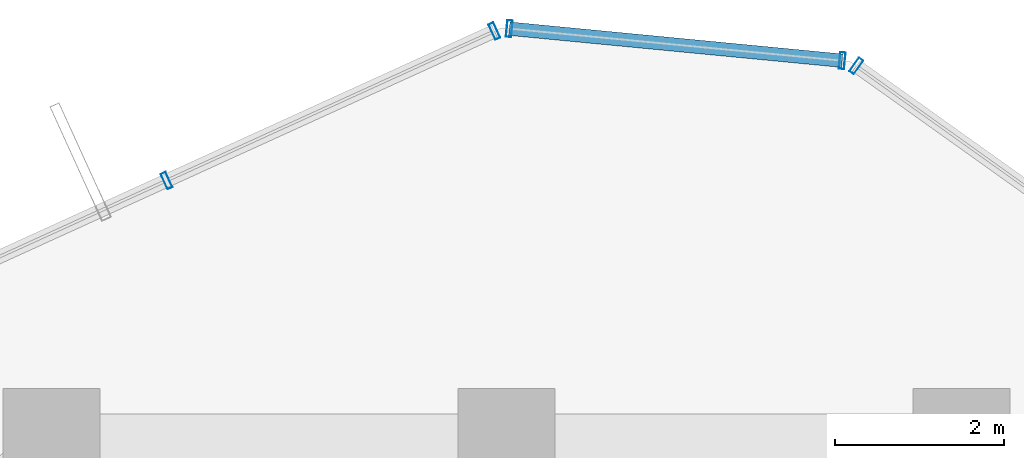
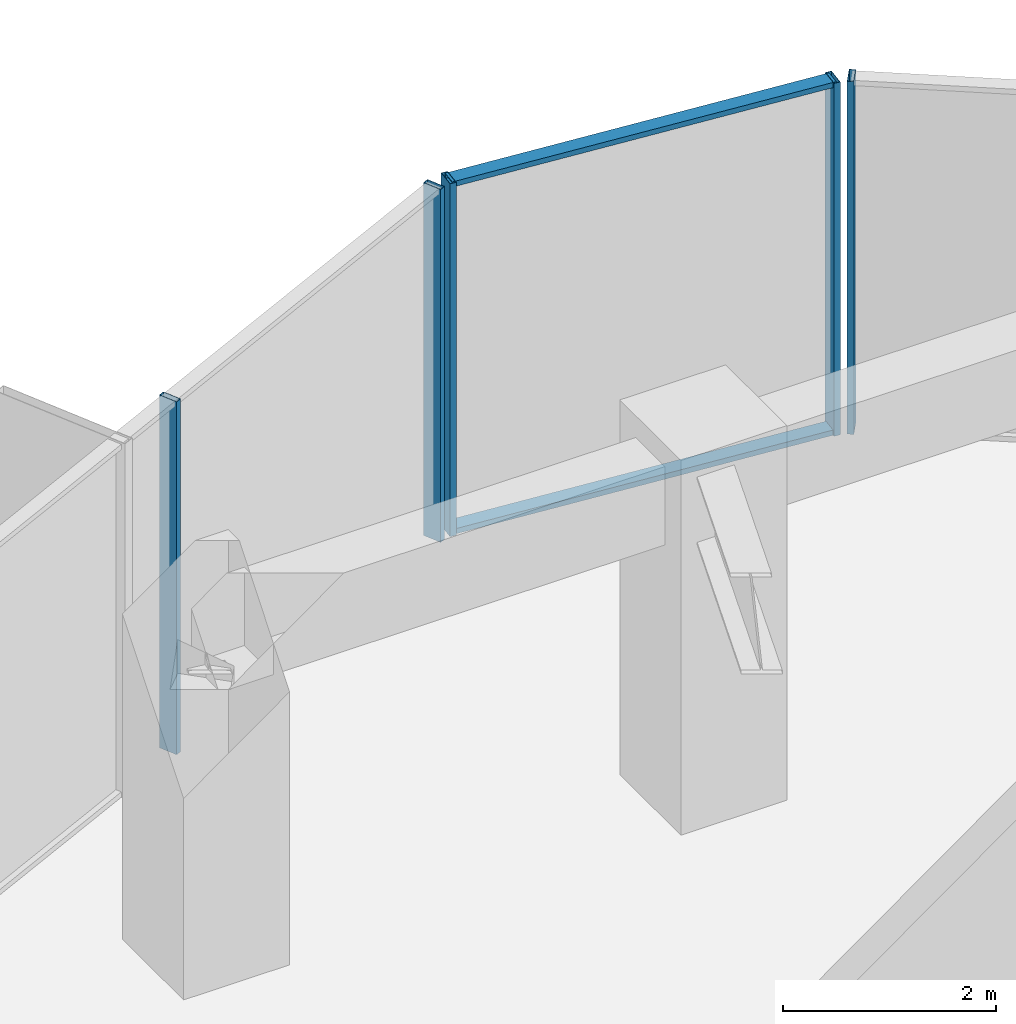
# One storey, part 18 of 25: 7 members, 3 elements without a shape of their own.
"""IFC4 building model written with IfcOpenShell, lengths in metres."""

from ifc_helpers import new_model, si_unit, direction, frame, origin, origin_2d, place, context, subcontext, project, spatial, hollow_rectangle, extrude, source, transform, mapped, material, layer, layer_set, material_profile, profile_set, type_object, element, aggregate, save


model = new_model("IFC4")

# Units and contexts
model_context = context("Model", 3, precision=1e-05, world=origin(), true_north=direction((0.0, 1.0)))
body_context = subcontext(model_context, "Body", "Model", "MODEL_VIEW")
ifc_project = project(units=[si_unit("LENGTHUNIT", "METRE"), si_unit("AREAUNIT", "SQUARE_METRE"), si_unit("VOLUMEUNIT", "CUBIC_METRE"), si_unit("PLANEANGLEUNIT", "RADIAN"), si_unit("MASSUNIT", "GRAM", prefix="KILO")], contexts=[model_context])

# Site, building, storey
site_placement = place(None, origin())
site = spatial("IfcSite", under=ifc_project, at=site_placement, CompositionType="ELEMENT")
building_placement = place(site_placement, origin())
building = spatial("IfcBuilding", under=site, at=building_placement, Name="Veraguas Prism Commons", CompositionType="ELEMENT")
storey_placement = place(building_placement, frame((0.0, 0.0, 108.949951171875)))
storey = spatial("IfcBuildingStorey", under=building, at=storey_placement, Name="L30", CompositionType="ELEMENT", Elevation=108.949951171875)

# Curtain wall, member
ifc_material = material(Name="Anodised aluminium EN AW-6063 T6", Category="aluminium")
ifc_layer = layer(ifc_material, 0.199951171875, Name="Sky Lobby and Pool Acoustic Curtain Wall", Category="aluminium")
ifc_layer_set = layer_set([ifc_layer], Name="Anodised aluminium EN AW-6063 T6")
curtain_wall_type = type_object("IfcCurtainWallType", Name="Sky Lobby and Pool Acoustic Curtain Wall", PredefinedType="NOTDEFINED", material=ifc_layer_set)
curtain_wall_1_placement = place(storey_placement, origin())
curtain_wall_1 = element("IfcCurtainWall", 1, at=curtain_wall_1_placement, inside=storey, type_object=curtain_wall_type, Name="Tower Facade Curtain Wall L30-F1", PredefinedType="NOTDEFINED")
ifc_material_profile_1 = material_profile(ifc_material, hollow_rectangle(XDim=0.06494140625, YDim=0.199951171875, WallThickness=0.00390625, at=origin_2d()), Name="AL65X200X4")
ifc_profile_set_1 = profile_set([ifc_material_profile_1], Name="Anodised aluminium EN AW-6063 T6")
member_type_1 = type_object("IfcMemberType", Name="Curtain Wall Mullion Heavy AL 65x200x4", PredefinedType="MULLION", material=ifc_profile_set_1)
shared_shape_1 = source(origin(), body_context, "Body", "SweptSolid", [
    extrude(hollow_rectangle(XDim=0.06494140625, YDim=0.199951171875, WallThickness=0.00390625, at=origin_2d()), origin(), (0.0, 0.0, 1.0), 4.050048828125),
])
member_1_placement = place(storey_placement, frame((28.150390625, 44.601806640625, 0.0), z_axis=(0.0, 0.0, 1.0), x_axis=(-0.814114504837, 0.58070437661, 0.0)))
member_1 = element("IfcMember", 2, at=member_1_placement, type_object=member_type_1, Name="CW-SKY Mullion 5", PredefinedType="MULLION", context=body_context, shape_type="MappedRepresentation", body=[
    mapped(shared_shape_1, transform((0.0, 0.0, 0.0), scale=1.0)),
])
aggregate(curtain_wall_1, [member_1])

# Curtain wall, members
curtain_wall_2_placement = place(storey_placement, origin())
curtain_wall_2 = element("IfcCurtainWall", 3, at=curtain_wall_2_placement, inside=storey, type_object=curtain_wall_type, Name="Tower Facade Curtain Wall L30-F2", PredefinedType="NOTDEFINED")
member_2_placement = place(storey_placement, frame((23.85693359375, 45.015380859375, 0.0), z_axis=(0.0, 0.0, 1.0), x_axis=(-0.909960547099, -0.414694830838, 0.0)))
member_2 = element("IfcMember", 4, at=member_2_placement, type_object=member_type_1, Name="CW-SKY Mullion 1", PredefinedType="MULLION", context=body_context, shape_type="MappedRepresentation", body=[
    mapped(shared_shape_1, transform((0.0, 0.0, 0.0), scale=1.0)),
])
member_3_placement = place(storey_placement, frame((19.9658203125, 43.241943359375, 0.0), z_axis=(0.0, 0.0, 1.0), x_axis=(-0.909960547099, -0.414694830838, 0.0)))
member_3 = element("IfcMember", 5, at=member_3_placement, type_object=member_type_1, Name="CW-SKY Mullion 2", PredefinedType="MULLION", context=body_context, shape_type="MappedRepresentation", body=[
    mapped(shared_shape_1, transform((0.0, 0.0, 0.0), scale=1.0)),
])
aggregate(curtain_wall_2, [member_2, member_3])

curtain_wall_3_placement = place(storey_placement, origin())
curtain_wall_3 = element("IfcCurtainWall", 6, at=curtain_wall_3_placement, inside=storey, type_object=curtain_wall_type, Name="Chamfer Curtain Wall L30-C2", PredefinedType="NOTDEFINED")
member_4_placement = place(storey_placement, frame((27.983154296875, 44.66455078125, 0.0), z_axis=(0.0, 0.0, 1.0), x_axis=(-0.995397703786, 0.095830116861, 0.0)))
member_4 = element("IfcMember", 7, at=member_4_placement, type_object=member_type_1, Name="CW-SKY Mullion 1", PredefinedType="MULLION", context=body_context, shape_type="MappedRepresentation", body=[
    mapped(shared_shape_1, transform((0.0, 0.0, 0.0), scale=1.0)),
])
member_5_placement = place(storey_placement, frame((24.033203125, 45.044677734375, 0.0), z_axis=(0.0, 0.0, 1.0), x_axis=(-0.995397703786, 0.095830116861, 0.0)))
member_5 = element("IfcMember", 8, at=member_5_placement, type_object=member_type_1, Name="CW-SKY Mullion 2", PredefinedType="MULLION", context=body_context, shape_type="MappedRepresentation", body=[
    mapped(shared_shape_1, transform((0.0, 0.0, 0.0), scale=1.0)),
])
ifc_material_profile_2 = material_profile(ifc_material, hollow_rectangle(XDim=0.06005859375, YDim=0.159912109375, WallThickness=0.0029296875, at=origin_2d()), Name="AL60X160X3")
ifc_profile_set_2 = profile_set([ifc_material_profile_2], Name="Anodised aluminium EN AW-6063 T6")
member_type_2 = type_object("IfcMemberType", Name="Curtain Wall Transom Heavy AL 60x160x3", PredefinedType="USERDEFINED", material=ifc_profile_set_2)
shared_shape_2 = source(origin(), body_context, "Body", "SweptSolid", [
    extrude(hollow_rectangle(XDim=0.06005859375, YDim=0.159912109375, WallThickness=0.0029296875, at=origin_2d()), origin(), (0.0, 0.0, 1.0), 3.96826171875),
])
member_6_placement = place(storey_placement, frame((27.983154296875, 44.66455078125, 0.030029296875), z_axis=(-0.995401247919, 0.095793296434, 0.0), x_axis=(0.0, 0.0, 1.0)))
member_6 = element("IfcMember", 9, at=member_6_placement, type_object=member_type_2, Name="CW-SKY Transom 1", ObjectType="TRANSOM", PredefinedType="USERDEFINED", context=body_context, shape_type="MappedRepresentation", body=[
    mapped(shared_shape_2, transform((0.0, 0.0, 0.0), scale=1.0)),
])
member_7_placement = place(storey_placement, frame((27.983154296875, 44.66455078125, 4.02001953125), z_axis=(-0.995401247919, 0.095793296434, 0.0), x_axis=(0.0, 0.0, 1.0)))
member_7 = element("IfcMember", 10, at=member_7_placement, type_object=member_type_2, Name="CW-SKY Transom 2", ObjectType="TRANSOM", PredefinedType="USERDEFINED", context=body_context, shape_type="MappedRepresentation", body=[
    mapped(shared_shape_2, transform((0.0, 0.0, 0.0), scale=1.0)),
])
aggregate(curtain_wall_3, [member_4, member_5, member_6, member_7])

save(model, "model.ifc")
